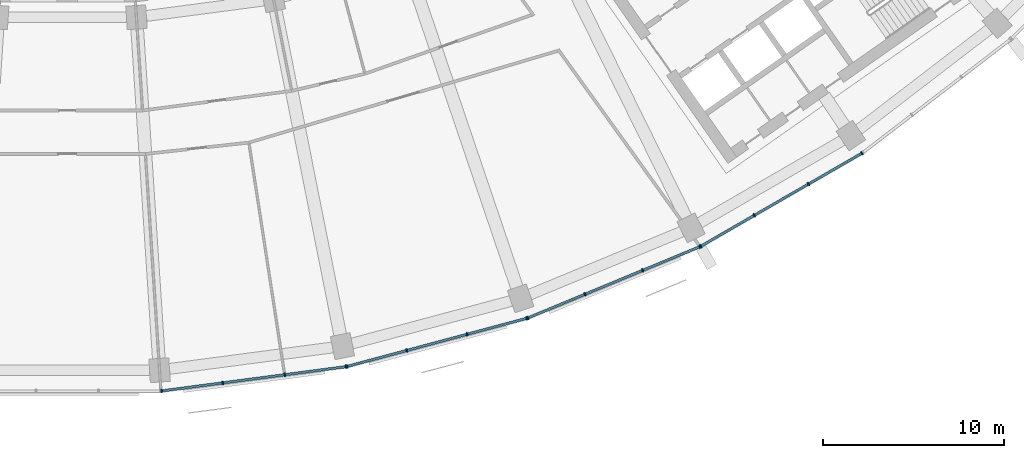
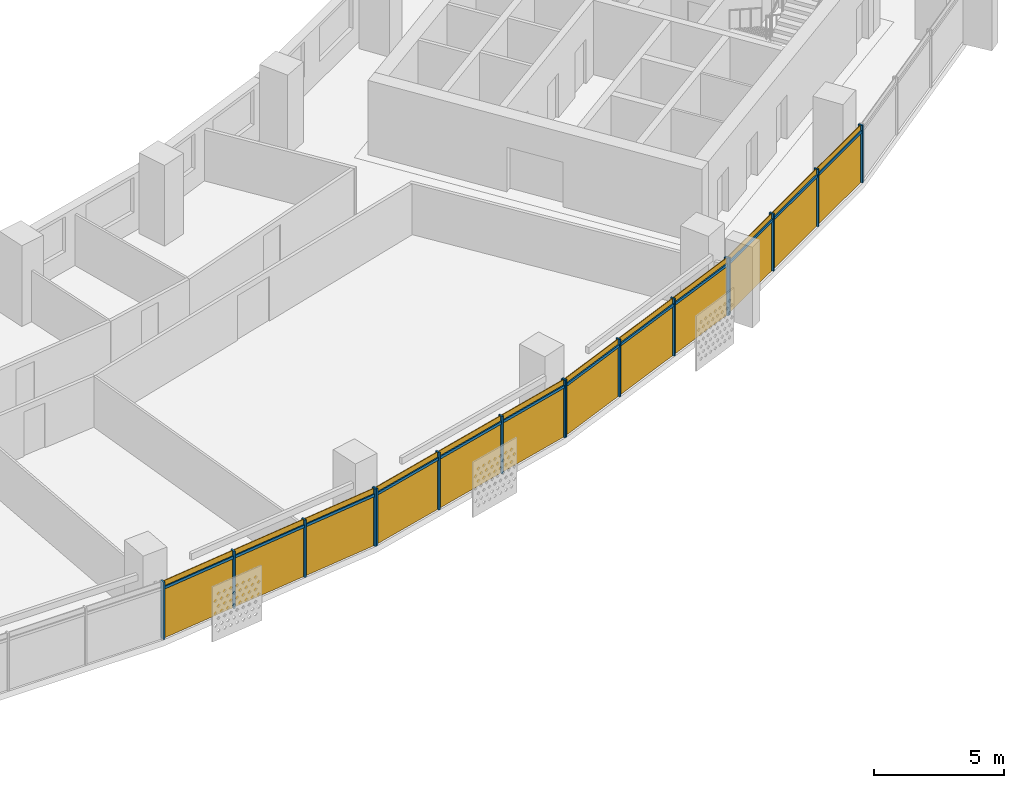
# One storey, part 19 of 26: 28 members, 4 curtain walls.
"""IFC4 building model written with IfcOpenShell, lengths in metres."""

from ifc_helpers import new_model, si_unit, direction, frame, origin, origin_2d, place, context, subcontext, project, spatial, rectangle, extrude, material, material_profile, profile_set, type_object, element, aggregate, save


model = new_model("IFC4")

# Units and contexts
model_context = context("Model", 3, precision=1e-05, world=origin(), true_north=direction((0.0, 1.0)))
body_context = subcontext(model_context, "Body", "Model", "MODEL_VIEW")
ifc_project = project(units=[si_unit("LENGTHUNIT", "METRE"), si_unit("AREAUNIT", "SQUARE_METRE"), si_unit("VOLUMEUNIT", "CUBIC_METRE"), si_unit("PLANEANGLEUNIT", "RADIAN"), si_unit("MASSUNIT", "GRAM", prefix="KILO")], contexts=[model_context])

# Member
ifc_material = material(Name="Aluminium 6063-T6 anodised", Category="aluminium")
ifc_material_profile_1 = material_profile(ifc_material, rectangle(XDim=0.199951171875, YDim=0.070068359375, at=origin_2d()))
ifc_profile_set_1 = profile_set([ifc_material_profile_1], Name="Aluminium 6063-T6 anodised")
member_type_1 = type_object("IfcMemberType", Name="Mullion 70 x 200 aluminium", PredefinedType="MULLION", material=ifc_profile_set_1)
site_placement = place(None, origin())
building_placement = place(site_placement, origin())
storey_placement = place(building_placement, frame((0.0, 0.0, 160.699951171875)))
member_1_placement = place(storey_placement, frame((5.1884765625, -78.72705078125, 0.0), z_axis=(0.0, 0.0, 1.0), x_axis=(-0.13052619222, 0.991444861374, 0.0)))
member_1 = element("IfcMember", 1, at=member_1_placement, type_object=member_type_1, Name="e-cw1-L37-out08/M00", PredefinedType="MULLION", context=body_context, shape_type="SweptSolid", body=[
    extrude(rectangle(XDim=0.199951171875, YDim=0.070068359375, at=origin_2d()), origin(), (0.0, 0.0, 1.0), 2.699951171875),
])

member_2_placement = place(storey_placement, frame((8.56884765625, -78.2822265625, 0.0), z_axis=(0.0, 0.0, 1.0), x_axis=(-0.13052619222, 0.991444861374, 0.0)))
member_2 = element("IfcMember", 2, at=member_2_placement, type_object=member_type_1, Name="e-cw1-L37-out08/M01", PredefinedType="MULLION", context=body_context, shape_type="SweptSolid", body=[
    extrude(rectangle(XDim=0.199951171875, YDim=0.070068359375, at=origin_2d()), origin(), (0.0, 0.0, 1.0), 2.699951171875),
])

member_3_placement = place(storey_placement, frame((11.98388671875, -77.83251953125, 0.0), z_axis=(0.0, 0.0, 1.0), x_axis=(-0.13052619222, 0.991444861374, 0.0)))
member_3 = element("IfcMember", 3, at=member_3_placement, type_object=member_type_1, Name="e-cw1-L37-out08/M02", PredefinedType="MULLION", context=body_context, shape_type="SweptSolid", body=[
    extrude(rectangle(XDim=0.199951171875, YDim=0.070068359375, at=origin_2d()), origin(), (0.0, 0.0, 1.0), 2.699951171875),
])

member_4_placement = place(storey_placement, frame((15.364501953125, -77.387451171875, 0.0), z_axis=(0.0, 0.0, 1.0), x_axis=(-0.13052619222, 0.991444861374, 0.0)))
member_4 = element("IfcMember", 4, at=member_4_placement, type_object=member_type_1, Name="e-cw1-L37-out08/M03", PredefinedType="MULLION", context=body_context, shape_type="SweptSolid", body=[
    extrude(rectangle(XDim=0.199951171875, YDim=0.070068359375, at=origin_2d()), origin(), (0.0, 0.0, 1.0), 2.699951171875),
])

member_5_placement = place(storey_placement, frame((15.420166015625, -77.37646484375, 0.0), z_axis=(0.0, 0.0, 1.0), x_axis=(-0.258819045103, 0.965925826289, 0.0)))
member_5 = element("IfcMember", 5, at=member_5_placement, type_object=member_type_1, Name="e-cw1-L37-out09/M00", PredefinedType="MULLION", context=body_context, shape_type="SweptSolid", body=[
    extrude(rectangle(XDim=0.199951171875, YDim=0.070068359375, at=origin_2d()), origin(), (0.0, 0.0, 1.0), 2.699951171875),
])

member_6_placement = place(storey_placement, frame((18.71337890625, -76.493896484375, 0.0), z_axis=(0.0, 0.0, 1.0), x_axis=(-0.258819045103, 0.965925826289, 0.0)))
member_6 = element("IfcMember", 6, at=member_6_placement, type_object=member_type_1, Name="e-cw1-L37-out09/M01", PredefinedType="MULLION", context=body_context, shape_type="SweptSolid", body=[
    extrude(rectangle(XDim=0.199951171875, YDim=0.070068359375, at=origin_2d()), origin(), (0.0, 0.0, 1.0), 2.699951171875),
])

member_7_placement = place(storey_placement, frame((22.04052734375, -75.602294921875, 0.0), z_axis=(0.0, 0.0, 1.0), x_axis=(-0.258819045103, 0.965925826289, 0.0)))
member_7 = element("IfcMember", 7, at=member_7_placement, type_object=member_type_1, Name="e-cw1-L37-out09/M02", PredefinedType="MULLION", context=body_context, shape_type="SweptSolid", body=[
    extrude(rectangle(XDim=0.199951171875, YDim=0.070068359375, at=origin_2d()), origin(), (0.0, 0.0, 1.0), 2.699951171875),
])

member_8_placement = place(storey_placement, frame((25.333984375, -74.719970703125, 0.0), z_axis=(0.0, 0.0, 1.0), x_axis=(-0.258819045103, 0.965925826289, 0.0)))
member_8 = element("IfcMember", 8, at=member_8_placement, type_object=member_type_1, Name="e-cw1-L37-out09/M03", PredefinedType="MULLION", context=body_context, shape_type="SweptSolid", body=[
    extrude(rectangle(XDim=0.199951171875, YDim=0.070068359375, at=origin_2d()), origin(), (0.0, 0.0, 1.0), 2.699951171875),
])

member_9_placement = place(storey_placement, frame((25.3876953125, -74.70166015625, 0.0), z_axis=(0.0, 0.0, 1.0), x_axis=(-0.382683432365, 0.923879532511, 0.0)))
member_9 = element("IfcMember", 9, at=member_9_placement, type_object=member_type_1, Name="e-cw1-L37-out10/M00", PredefinedType="MULLION", context=body_context, shape_type="SweptSolid", body=[
    extrude(rectangle(XDim=0.199951171875, YDim=0.070068359375, at=origin_2d()), origin(), (0.0, 0.0, 1.0), 2.699951171875),
])

member_10_placement = place(storey_placement, frame((28.537841796875, -73.39697265625, 0.0), z_axis=(0.0, 0.0, 1.0), x_axis=(-0.382683432365, 0.923879532511, 0.0)))
member_10 = element("IfcMember", 10, at=member_10_placement, type_object=member_type_1, Name="e-cw1-L37-out10/M01", PredefinedType="MULLION", context=body_context, shape_type="SweptSolid", body=[
    extrude(rectangle(XDim=0.199951171875, YDim=0.070068359375, at=origin_2d()), origin(), (0.0, 0.0, 1.0), 2.699951171875),
])

member_11_placement = place(storey_placement, frame((31.72021484375, -72.078857421875, 0.0), z_axis=(0.0, 0.0, 1.0), x_axis=(-0.382683432365, 0.923879532511, 0.0)))
member_11 = element("IfcMember", 11, at=member_11_placement, type_object=member_type_1, Name="e-cw1-L37-out10/M02", PredefinedType="MULLION", context=body_context, shape_type="SweptSolid", body=[
    extrude(rectangle(XDim=0.199951171875, YDim=0.070068359375, at=origin_2d()), origin(), (0.0, 0.0, 1.0), 2.699951171875),
])

member_12_placement = place(storey_placement, frame((34.8701171875, -70.77392578125, 0.0), z_axis=(0.0, 0.0, 1.0), x_axis=(-0.382683432365, 0.923879532511, 0.0)))
member_12 = element("IfcMember", 12, at=member_12_placement, type_object=member_type_1, Name="e-cw1-L37-out10/M03", PredefinedType="MULLION", context=body_context, shape_type="SweptSolid", body=[
    extrude(rectangle(XDim=0.199951171875, YDim=0.070068359375, at=origin_2d()), origin(), (0.0, 0.0, 1.0), 2.699951171875),
])

member_13_placement = place(storey_placement, frame((34.921142578125, -70.748779296875, 0.0), z_axis=(0.0, 0.0, 1.0), x_axis=(-0.5, 0.866025403784, 0.0)))
member_13 = element("IfcMember", 13, at=member_13_placement, type_object=member_type_1, Name="e-cw1-L37-out11/M00", PredefinedType="MULLION", context=body_context, shape_type="SweptSolid", body=[
    extrude(rectangle(XDim=0.199951171875, YDim=0.070068359375, at=origin_2d()), origin(), (0.0, 0.0, 1.0), 2.699951171875),
])

member_14_placement = place(storey_placement, frame((37.873779296875, -69.0439453125, 0.0), z_axis=(0.0, 0.0, 1.0), x_axis=(-0.5, 0.866025403784, 0.0)))
member_14 = element("IfcMember", 14, at=member_14_placement, type_object=member_type_1, Name="e-cw1-L37-out11/M01", PredefinedType="MULLION", context=body_context, shape_type="SweptSolid", body=[
    extrude(rectangle(XDim=0.199951171875, YDim=0.070068359375, at=origin_2d()), origin(), (0.0, 0.0, 1.0), 2.699951171875),
])

member_15_placement = place(storey_placement, frame((40.85693359375, -67.32177734375, 0.0), z_axis=(0.0, 0.0, 1.0), x_axis=(-0.5, 0.866025403784, 0.0)))
member_15 = element("IfcMember", 15, at=member_15_placement, type_object=member_type_1, Name="e-cw1-L37-out11/M02", PredefinedType="MULLION", context=body_context, shape_type="SweptSolid", body=[
    extrude(rectangle(XDim=0.199951171875, YDim=0.070068359375, at=origin_2d()), origin(), (0.0, 0.0, 1.0), 2.699951171875),
])

member_16_placement = place(storey_placement, frame((43.809814453125, -65.616943359375, 0.0), z_axis=(0.0, 0.0, 1.0), x_axis=(-0.5, 0.866025403784, 0.0)))
member_16 = element("IfcMember", 16, at=member_16_placement, type_object=member_type_1, Name="e-cw1-L37-out11/M03", PredefinedType="MULLION", context=body_context, shape_type="SweptSolid", body=[
    extrude(rectangle(XDim=0.199951171875, YDim=0.070068359375, at=origin_2d()), origin(), (0.0, 0.0, 1.0), 2.699951171875),
])

ifc_material_profile_2 = material_profile(ifc_material, rectangle(XDim=0.139892578125, YDim=0.1201171875, at=origin_2d()))
ifc_profile_set_2 = profile_set([ifc_material_profile_2], Name="Aluminium 6063-T6 anodised")
member_type_2 = type_object("IfcMemberType", Name="Transom 120 x 140 aluminium", PredefinedType="USERDEFINED", material=ifc_profile_set_2)
member_17_placement = place(storey_placement, frame((5.22314453125, -78.72265625, 2.400146484375), z_axis=(0.991439857731, 0.130564193033, 0.0), x_axis=(-0.130564193033, 0.991439857731, 0.0)))
member_17 = element("IfcMember", 17, at=member_17_placement, type_object=member_type_2, Name="e-cw1-L37-out08/T00", ObjectType="TRANSOM", PredefinedType="USERDEFINED", context=body_context, shape_type="SweptSolid", body=[
    extrude(rectangle(XDim=0.139892578125, YDim=0.1201171875, at=origin_2d()), origin(), (0.0, 0.0, 1.0), 3.339599609375),
])

member_18_placement = place(storey_placement, frame((8.603515625, -78.277587890625, 2.400146484375), z_axis=(0.991446413845, 0.130514399487, 0.0), x_axis=(-0.130514399487, 0.991446413845, 0.0)))
member_18 = element("IfcMember", 18, at=member_18_placement, type_object=member_type_2, Name="e-cw1-L37-out08/T01", ObjectType="TRANSOM", PredefinedType="USERDEFINED", context=body_context, shape_type="SweptSolid", body=[
    extrude(rectangle(XDim=0.139892578125, YDim=0.1201171875, at=origin_2d()), origin(), (0.0, 0.0, 1.0), 3.37451171875),
])

member_19_placement = place(storey_placement, frame((12.018798828125, -77.827880859375, 2.400146484375), z_axis=(0.991448073325, 0.130501792706, 0.0), x_axis=(-0.130501792706, 0.991448073325, 0.0)))
member_19 = element("IfcMember", 19, at=member_19_placement, type_object=member_type_2, Name="e-cw1-L37-out08/T02", ObjectType="TRANSOM", PredefinedType="USERDEFINED", context=body_context, shape_type="SweptSolid", body=[
    extrude(rectangle(XDim=0.139892578125, YDim=0.1201171875, at=origin_2d()), origin(), (0.0, 0.0, 1.0), 3.33935546875),
])

member_20_placement = place(storey_placement, frame((15.453857421875, -77.367431640625, 2.400146484375), z_axis=(0.96591509168, 0.258859103886, 0.0), x_axis=(-0.258859103886, 0.96591509168, 0.0)))
member_20 = element("IfcMember", 20, at=member_20_placement, type_object=member_type_2, Name="e-cw1-L37-out09/T00", ObjectType="TRANSOM", PredefinedType="USERDEFINED", context=body_context, shape_type="SweptSolid", body=[
    extrude(rectangle(XDim=0.139892578125, YDim=0.1201171875, at=origin_2d()), origin(), (0.0, 0.0, 1.0), 3.339599609375),
])

member_21_placement = place(storey_placement, frame((18.747314453125, -76.48486328125, 2.400146484375), z_axis=(0.965932873966, 0.258792741381, 0.0), x_axis=(-0.258792741381, 0.965932873966, 0.0)))
member_21 = element("IfcMember", 21, at=member_21_placement, type_object=member_type_2, Name="e-cw1-L37-out09/T01", ObjectType="TRANSOM", PredefinedType="USERDEFINED", context=body_context, shape_type="SweptSolid", body=[
    extrude(rectangle(XDim=0.139892578125, YDim=0.1201171875, at=origin_2d()), origin(), (0.0, 0.0, 1.0), 3.37451171875),
])

member_22_placement = place(storey_placement, frame((22.074462890625, -75.59326171875, 2.400146484375), z_axis=(0.965933368091, 0.258790897074, 0.0), x_axis=(-0.258790897074, 0.965933368091, 0.0)))
member_22 = element("IfcMember", 22, at=member_22_placement, type_object=member_type_2, Name="e-cw1-L37-out09/T02", ObjectType="TRANSOM", PredefinedType="USERDEFINED", context=body_context, shape_type="SweptSolid", body=[
    extrude(rectangle(XDim=0.139892578125, YDim=0.1201171875, at=origin_2d()), origin(), (0.0, 0.0, 1.0), 3.339599609375),
])

member_23_placement = place(storey_placement, frame((25.420166015625, -74.688232421875, 2.400146484375), z_axis=(0.923890305385, 0.382657423311, 0.0), x_axis=(-0.382657423311, 0.923890305385, 0.0)))
member_23 = element("IfcMember", 23, at=member_23_placement, type_object=member_type_2, Name="e-cw1-L37-out10/T00", ObjectType="TRANSOM", PredefinedType="USERDEFINED", context=body_context, shape_type="SweptSolid", body=[
    extrude(rectangle(XDim=0.139892578125, YDim=0.1201171875, at=origin_2d()), origin(), (0.0, 0.0, 1.0), 3.33935546875),
])

member_24_placement = place(storey_placement, frame((28.570068359375, -73.383544921875, 2.400146484375), z_axis=(0.923866926753, 0.382713863941, 0.0), x_axis=(-0.382713863941, 0.923866926753, 0.0)))
member_24 = element("IfcMember", 24, at=member_24_placement, type_object=member_type_2, Name="e-cw1-L37-out10/T01", ObjectType="TRANSOM", PredefinedType="USERDEFINED", context=body_context, shape_type="SweptSolid", body=[
    extrude(rectangle(XDim=0.139892578125, YDim=0.1201171875, at=origin_2d()), origin(), (0.0, 0.0, 1.0), 3.37451171875),
])

member_25_placement = place(storey_placement, frame((31.75244140625, -72.0654296875, 2.400146484375), z_axis=(0.923875164544, 0.382693977401, 0.0), x_axis=(-0.382693977401, 0.923875164544, 0.0)))
member_25 = element("IfcMember", 25, at=member_25_placement, type_object=member_type_2, Name="e-cw1-L37-out10/T02", ObjectType="TRANSOM", PredefinedType="USERDEFINED", context=body_context, shape_type="SweptSolid", body=[
    extrude(rectangle(XDim=0.139892578125, YDim=0.1201171875, at=origin_2d()), origin(), (0.0, 0.0, 1.0), 3.339599609375),
])

member_26_placement = place(storey_placement, frame((34.951416015625, -70.7314453125, 2.400146484375), z_axis=(0.866002968352, 0.500038857296, 0.0), x_axis=(-0.500038857296, 0.866002968352, 0.0)))
member_26 = element("IfcMember", 26, at=member_26_placement, type_object=member_type_2, Name="e-cw1-L37-out11/T00", ObjectType="TRANSOM", PredefinedType="USERDEFINED", context=body_context, shape_type="SweptSolid", body=[
    extrude(rectangle(XDim=0.139892578125, YDim=0.1201171875, at=origin_2d()), origin(), (0.0, 0.0, 1.0), 3.339599609375),
])

member_27_placement = place(storey_placement, frame((37.904296875, -69.026611328125, 2.400146484375), z_axis=(0.86602172966, 0.500006363716, 0.0), x_axis=(-0.500006363716, 0.86602172966, 0.0)))
member_27 = element("IfcMember", 27, at=member_27_placement, type_object=member_type_2, Name="e-cw1-L37-out11/T01", ObjectType="TRANSOM", PredefinedType="USERDEFINED", context=body_context, shape_type="SweptSolid", body=[
    extrude(rectangle(XDim=0.139892578125, YDim=0.1201171875, at=origin_2d()), origin(), (0.0, 0.0, 1.0), 3.37451171875),
])

member_28_placement = place(storey_placement, frame((40.88720703125, -67.30419921875, 2.400146484375), z_axis=(0.866052898888, 0.49995237406, 0.0), x_axis=(-0.49995237406, 0.866052898888, 0.0)))
member_28 = element("IfcMember", 28, at=member_28_placement, type_object=member_type_2, Name="e-cw1-L37-out11/T02", ObjectType="TRANSOM", PredefinedType="USERDEFINED", context=body_context, shape_type="SweptSolid", body=[
    extrude(rectangle(XDim=0.139892578125, YDim=0.1201171875, at=origin_2d()), origin(), (0.0, 0.0, 1.0), 3.339599609375),
])

# Site, building, storey
site = spatial("IfcSite", under=ifc_project, at=site_placement, CompositionType="ELEMENT")
building = spatial("IfcBuilding", under=site, at=building_placement, Name="Qamariyya Broadcast Tower", CompositionType="ELEMENT")
storey = spatial("IfcBuildingStorey", under=building, at=storey_placement, Name="L37", CompositionType="ELEMENT", Elevation=160.699951171875)

# Curtain wall
curtain_wall_type = type_object("IfcCurtainWallType", Name="Unitised curtain wall, anodised aluminium", PredefinedType="NOTDEFINED", material=ifc_material)
curtain_wall_1_placement = place(storey_placement, origin())
curtain_wall_1 = element("IfcCurtainWall", 29, at=curtain_wall_1_placement, inside=storey, type_object=curtain_wall_type, Name="e-cw1-L37-out08", PredefinedType="NOTDEFINED", context=body_context, shape_type="SweptSolid", body=[
    extrude(rectangle(XDim=3.339599609375, YDim=0.031982421875, at=origin_2d()), frame((6.878662109375, -78.504638671875, 0.0), x_axis=(0.991444240905, 0.130530905064, 0.0)), (0.0, 0.0, 1.0), 2.340087890625),
    extrude(rectangle(XDim=3.339599609375, YDim=0.031982421875, at=origin_2d()), frame((6.878662109375, -78.504638671875, 2.4599609375), x_axis=(0.991444240905, 0.130530905064, 0.0)), (0.0, 0.0, 1.0), 0.239990234375),
    extrude(rectangle(XDim=3.37451171875, YDim=0.031982421875, at=origin_2d()), frame((10.2763671875, -78.05712890625, 0.0), x_axis=(0.991444240905, 0.130530905064, 0.0)), (0.0, 0.0, 1.0), 2.340087890625),
    extrude(rectangle(XDim=3.37451171875, YDim=0.031982421875, at=origin_2d()), frame((10.2763671875, -78.05712890625, 2.4599609375), x_axis=(0.991444240905, 0.130530905064, 0.0)), (0.0, 0.0, 1.0), 0.239990234375),
    extrude(rectangle(XDim=3.339599609375, YDim=0.031982421875, at=origin_2d()), frame((13.67431640625, -77.60986328125, 0.0), x_axis=(0.991444240905, 0.130530905064, 0.0)), (0.0, 0.0, 1.0), 2.340087890625),
    extrude(rectangle(XDim=3.339599609375, YDim=0.031982421875, at=origin_2d()), frame((13.67431640625, -77.60986328125, 2.4599609375), x_axis=(0.991444240905, 0.130530905064, 0.0)), (0.0, 0.0, 1.0), 0.239990234375),
])

aggregate(curtain_wall_1, [member_1, member_2, member_3, member_4, member_17, member_18, member_19])

curtain_wall_2_placement = place(storey_placement, origin())
curtain_wall_2 = element("IfcCurtainWall", 30, at=curtain_wall_2_placement, inside=storey, type_object=curtain_wall_type, Name="e-cw1-L37-out09", PredefinedType="NOTDEFINED", context=body_context, shape_type="SweptSolid", body=[
    extrude(rectangle(XDim=3.339599609375, YDim=0.031982421875, at=origin_2d()), frame((17.066650390625, -76.935302734375, 0.0), x_axis=(0.965926433062, 0.258816780584, 0.0)), (0.0, 0.0, 1.0), 2.340087890625),
    extrude(rectangle(XDim=3.339599609375, YDim=0.031982421875, at=origin_2d()), frame((17.066650390625, -76.935302734375, 2.4599609375), x_axis=(0.965926433062, 0.258816780584, 0.0)), (0.0, 0.0, 1.0), 0.239990234375),
    extrude(rectangle(XDim=3.37451171875, YDim=0.031982421875, at=origin_2d()), frame((20.376953125, -76.04833984375, 0.0), x_axis=(0.965926433062, 0.258816780584, 0.0)), (0.0, 0.0, 1.0), 2.340087890625),
    extrude(rectangle(XDim=3.37451171875, YDim=0.031982421875, at=origin_2d()), frame((20.376953125, -76.04833984375, 2.4599609375), x_axis=(0.965926433062, 0.258816780584, 0.0)), (0.0, 0.0, 1.0), 0.239990234375),
    extrude(rectangle(XDim=3.339599609375, YDim=0.031982421875, at=origin_2d()), frame((23.6875, -75.1611328125, 0.0), x_axis=(0.965926433062, 0.258816780584, 0.0)), (0.0, 0.0, 1.0), 2.340087890625),
    extrude(rectangle(XDim=3.339599609375, YDim=0.031982421875, at=origin_2d()), frame((23.6875, -75.1611328125, 2.4599609375), x_axis=(0.965926433062, 0.258816780584, 0.0)), (0.0, 0.0, 1.0), 0.239990234375),
])

aggregate(curtain_wall_2, [member_5, member_6, member_7, member_8, member_20, member_21, member_22])

curtain_wall_3_placement = place(storey_placement, origin())
curtain_wall_3 = element("IfcCurtainWall", 31, at=curtain_wall_3_placement, inside=storey, type_object=curtain_wall_type, Name="e-cw1-L37-out10", PredefinedType="NOTDEFINED", context=body_context, shape_type="SweptSolid", body=[
    extrude(rectangle(XDim=3.339599609375, YDim=0.031982421875, at=origin_2d()), frame((26.962890625, -74.04931640625, 0.0), x_axis=(0.923878040314, 0.382687034829, 0.0)), (0.0, 0.0, 1.0), 2.340087890625),
    extrude(rectangle(XDim=3.339599609375, YDim=0.031982421875, at=origin_2d()), frame((26.962890625, -74.04931640625, 2.4599609375), x_axis=(0.923878040314, 0.382687034829, 0.0)), (0.0, 0.0, 1.0), 0.239990234375),
    extrude(rectangle(XDim=3.37451171875, YDim=0.031982421875, at=origin_2d()), frame((30.12890625, -72.73779296875, 0.0), x_axis=(0.923878040314, 0.382687034829, 0.0)), (0.0, 0.0, 1.0), 2.340087890625),
    extrude(rectangle(XDim=3.37451171875, YDim=0.031982421875, at=origin_2d()), frame((30.12890625, -72.73779296875, 2.4599609375), x_axis=(0.923878040314, 0.382687034829, 0.0)), (0.0, 0.0, 1.0), 0.239990234375),
    extrude(rectangle(XDim=3.339599609375, YDim=0.031982421875, at=origin_2d()), frame((33.295166015625, -71.42626953125, 0.0), x_axis=(0.923878040314, 0.382687034829, 0.0)), (0.0, 0.0, 1.0), 2.340087890625),
    extrude(rectangle(XDim=3.339599609375, YDim=0.031982421875, at=origin_2d()), frame((33.295166015625, -71.42626953125, 2.4599609375), x_axis=(0.923878040314, 0.382687034829, 0.0)), (0.0, 0.0, 1.0), 0.239990234375),
])

aggregate(curtain_wall_3, [member_9, member_10, member_11, member_12, member_23, member_24, member_25])

curtain_wall_4_placement = place(storey_placement, origin())
curtain_wall_4 = element("IfcCurtainWall", 32, at=curtain_wall_4_placement, inside=storey, type_object=curtain_wall_type, Name="e-cw1-L37-out11", PredefinedType="NOTDEFINED", context=body_context, shape_type="SweptSolid", body=[
    extrude(rectangle(XDim=3.339599609375, YDim=0.031982421875, at=origin_2d()), frame((36.3974609375, -69.896484375, 0.0), x_axis=(0.866028999376, 0.499993772201, 0.0)), (0.0, 0.0, 1.0), 2.340087890625),
    extrude(rectangle(XDim=3.339599609375, YDim=0.031982421875, at=origin_2d()), frame((36.3974609375, -69.896484375, 2.4599609375), x_axis=(0.866028999376, 0.499993772201, 0.0)), (0.0, 0.0, 1.0), 0.239990234375),
    extrude(rectangle(XDim=3.37451171875, YDim=0.031982421875, at=origin_2d()), frame((39.365478515625, -68.18310546875, 0.0), x_axis=(0.866028999376, 0.499993772201, 0.0)), (0.0, 0.0, 1.0), 2.340087890625),
    extrude(rectangle(XDim=3.37451171875, YDim=0.031982421875, at=origin_2d()), frame((39.365478515625, -68.18310546875, 2.4599609375), x_axis=(0.866028999376, 0.499993772201, 0.0)), (0.0, 0.0, 1.0), 0.239990234375),
    extrude(rectangle(XDim=3.339599609375, YDim=0.031982421875, at=origin_2d()), frame((42.33349609375, -66.469482421875, 0.0), x_axis=(0.866028999376, 0.499993772201, 0.0)), (0.0, 0.0, 1.0), 2.340087890625),
    extrude(rectangle(XDim=3.339599609375, YDim=0.031982421875, at=origin_2d()), frame((42.33349609375, -66.469482421875, 2.4599609375), x_axis=(0.866028999376, 0.499993772201, 0.0)), (0.0, 0.0, 1.0), 0.239990234375),
])

aggregate(curtain_wall_4, [member_13, member_14, member_15, member_16, member_26, member_27, member_28])

save(model, "model.ifc")
